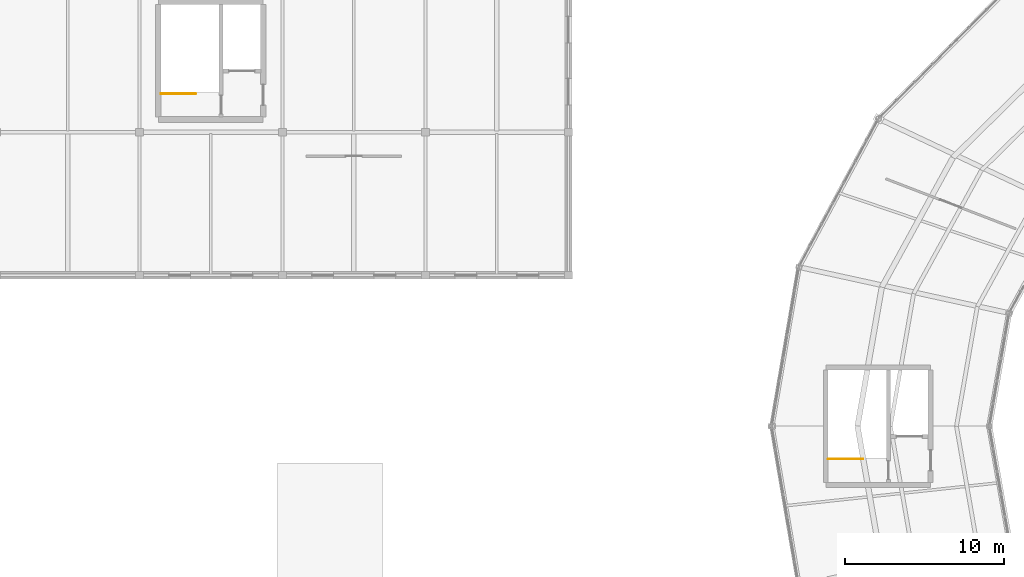
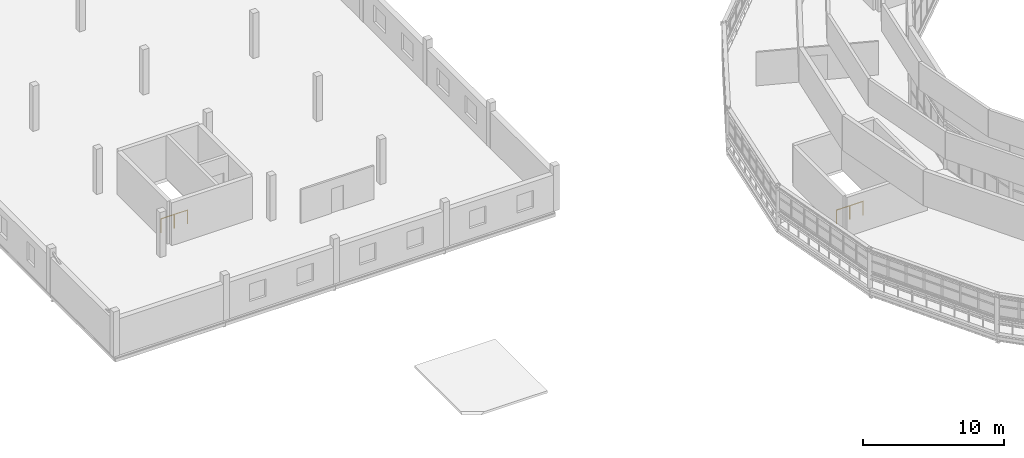
# One storey, part 117 of 123: 2 railings.
"""IFC4 building model written with IfcOpenShell, lengths in metres."""

import ifcopenshell
import ifcopenshell.guid

model = None  # the IFC model being written
_history = None  # IfcOwnerHistory: only IFC2X3 demands one
_inside = {}  # id of a spatial element -> (the spatial element, [elements in it])
_under = {}  # id of a project, library or spatial element -> (it, [spatial elements below it])
_declared = {}  # id of a project -> (the project, [libraries it declares])
_typed = {}  # id of a type object -> (the type object, [elements of that type])
_made_of = {}  # id of a material, layer set ... -> (it, [elements and type objects made of it])


def new_model(schema):
    """Start an empty IFC model of exactly this schema.

    Asked for "IFC4X3", IfcOpenShell would pick the latest addendum, in which some entities
    have other attributes; the version numbers below select the first issue.
    IFC2X3 requires an IfcOwnerHistory on every rooted entity: one is made here for all.
    """
    global model, _history
    if schema == "IFC4X3":
        model = ifcopenshell.file(schema_version=(4, 3, 0, 0))
    else:
        model = ifcopenshell.file(schema=schema)
    _inside.clear()
    _under.clear()
    _declared.clear()
    _typed.clear()
    _made_of.clear()
    _history = None
    if model.schema == "IFC2X3":
        org = make("IfcOrganization", Name="unknown")
        user = make(
            "IfcPersonAndOrganization",
            ThePerson=make("IfcPerson", FamilyName="unknown"),
            TheOrganization=org,
        )
        app = make(
            "IfcApplication",
            ApplicationDeveloper=org,
            Version="unknown",
            ApplicationFullName="unknown",
            ApplicationIdentifier="unknown",
        )
        _history = make(
            "IfcOwnerHistory",
            OwningUser=user,
            OwningApplication=app,
            ChangeAction="ADDED",
            CreationDate=0,
        )
    return model


def make(cls, **values):
    """One entity of the class cls with the attributes given. An attribute that is None is left unset."""
    return model.create_entity(
        cls, **{name: value for name, value in values.items() if value is not None}
    )


def rooted(cls, **values):
    """An entity with a GlobalId (a new one), such as an element, a storey or a relation."""
    return make(cls, GlobalId=ifcopenshell.guid.new(), OwnerHistory=_history, **values)


def si_unit(unit_type, name, prefix=None):
    """IfcSIUnit, for example si_unit("LENGTHUNIT", "METRE", prefix="MILLI")."""
    return make("IfcSIUnit", UnitType=unit_type, Prefix=prefix, Name=name)


def assignment(units):
    """IfcUnitAssignment: the units of a project."""
    return None if units is None else make("IfcUnitAssignment", Units=units)


def point(xyz):
    """IfcCartesianPoint."""
    return None if xyz is None else make("IfcCartesianPoint", Coordinates=xyz)


def direction(xyz):
    """IfcDirection."""
    return None if xyz is None else make("IfcDirection", DirectionRatios=xyz)


def frame(location, z_axis=None, x_axis=None):
    """IfcAxis2Placement3D, a coordinate frame: its origin and axes. An axis left out is left unset."""
    return make(
        "IfcAxis2Placement3D",
        Location=point(location),
        Axis=direction(z_axis),
        RefDirection=direction(x_axis),
    )


def frame_2d(location, x_axis=None):
    """IfcAxis2Placement2D, a coordinate frame in the plane: its origin and x axis."""
    return make(
        "IfcAxis2Placement2D", Location=point(location), RefDirection=direction(x_axis)
    )


def origin():
    """The frame at (0, 0, 0) with its axes left unset."""
    return frame((0.0, 0.0, 0.0))


def origin_2d():
    """The frame at (0, 0) in the plane with its x axis left unset."""
    return frame_2d((0.0, 0.0))


def place(relative_to, where):
    """IfcLocalPlacement: puts the frame where relative to a parent placement (None: the world)."""
    return make(
        "IfcLocalPlacement", PlacementRelTo=relative_to, RelativePlacement=where
    )


def context(
    kind, dimensions, precision=None, world=None, true_north=None, identifier=None
):
    """IfcGeometricRepresentationContext, for example the 3D "Model" context."""
    return make(
        "IfcGeometricRepresentationContext",
        ContextIdentifier=identifier,
        ContextType=kind,
        CoordinateSpaceDimension=dimensions,
        Precision=precision,
        WorldCoordinateSystem=world,
        TrueNorth=true_north,
    )


def subcontext(parent, identifier, kind, view, scale=None):
    """IfcGeometricRepresentationSubContext, for example "Body" below "Model"."""
    return make(
        "IfcGeometricRepresentationSubContext",
        ContextIdentifier=identifier,
        ContextType=kind,
        ParentContext=parent,
        TargetScale=scale,
        TargetView=view,
    )


def project(units=None, contexts=None):
    """IfcProject with its units and contexts."""
    return rooted(
        "IfcProject",
        Name="project",
        RepresentationContexts=contexts,
        UnitsInContext=assignment(units),
    )


def spatial(cls, under=None, at=None, **own):
    """A site, building, storey or space (cls), placed at a placement, below another one or the project."""
    s = rooted(cls, ObjectPlacement=at, **own)
    if under is not None:
        _under.setdefault(under.id(), (under, []))[1].append(s)
    return s


def profile(cls, at=None, kind="AREA", **sizes):
    """A parametric profile (cls). Its sizes go by their IFC names, for example OverallWidth=200.0."""
    return make(cls, ProfileType=kind, Position=at, **sizes)


def circle(**sizes):
    """IfcCircleProfileDef."""
    return profile("IfcCircleProfileDef", **sizes)


def extrude(swept, where, along, depth):
    """IfcExtrudedAreaSolid: the profile swept, set in the frame where, extruded along a direction by depth."""
    return make(
        "IfcExtrudedAreaSolid",
        SweptArea=swept,
        Position=where,
        ExtrudedDirection=direction(along),
        Depth=depth,
    )


def shape(context_of_items, identifier, shape_type, items):
    """IfcShapeRepresentation: the items that make up one representation, for example the "Body"."""
    return make(
        "IfcShapeRepresentation",
        ContextOfItems=context_of_items,
        RepresentationIdentifier=identifier,
        RepresentationType=shape_type,
        Items=items,
    )


def material(Name=None, Category=None):
    """IfcMaterial."""
    return make("IfcMaterial", Name=Name, Category=Category)


def made_of(thing, what):
    """Note that an element or type object is made of a material, layer set ...; save() writes the relation."""
    if what is not None:
        _made_of.setdefault(what.id(), (what, []))[1].append(thing)
    return thing


def type_object(cls, material=None, **own):
    """A type object (cls), such as IfcWallType, which elements share."""
    return made_of(rooted(cls, **own), material)


def element(
    cls,
    number,
    at=None,
    inside=None,
    cuts=None,
    type_object=None,
    material=None,
    context=None,
    identifier="Body",
    shape_type=None,
    held_by="IfcProductDefinitionShape",
    body=None,
    shapes=None,
    **own,
):
    """One element of the class cls, such as IfcWall. Its Tag is "e" and its number.

    at: its placement. inside: the storey or other place that contains it. cuts: it is an
    opening in that element (IfcRelVoidsElement). A single representation is given by context,
    identifier, shape_type and body (its items); several are given by shapes. held_by: the class
    of the entity that holds the representations. save() writes the other relations.
    """
    e = rooted(cls, Tag="e%d" % number, ObjectPlacement=at, **own)
    if body is not None:
        shapes = [shape(context, identifier, shape_type, body)]
    if shapes is not None:
        e.Representation = make(held_by, Representations=shapes)
    if inside is not None:
        _inside.setdefault(inside.id(), (inside, []))[1].append(e)
    if cuts is not None:
        rooted(
            "IfcRelVoidsElement", RelatingBuildingElement=cuts, RelatedOpeningElement=e
        )
    if type_object is not None:
        _typed.setdefault(type_object.id(), (type_object, []))[1].append(e)
    return made_of(e, material)


def aggregate(whole, parts):
    """IfcRelAggregates: a whole, such as a stair, and the parts it consists of."""
    return rooted("IfcRelAggregates", RelatingObject=whole, RelatedObjects=parts)


def save(model, path):
    """Write the relations noted so far, then the file.

    IfcRelAggregates (storeys below a building ...), IfcRelContainedInSpatialStructure (elements
    in a storey), IfcRelDefinesByType, IfcRelAssociatesMaterial and IfcRelDeclares: one each for
    every whole, place, type object, material and project.
    """
    for whole, parts in _under.values():
        aggregate(whole, parts)
    for where, things in _inside.values():
        rooted(
            "IfcRelContainedInSpatialStructure",
            RelatedElements=things,
            RelatingStructure=where,
        )
    for kind, things in _typed.values():
        rooted("IfcRelDefinesByType", RelatedObjects=things, RelatingType=kind)
    for what, things in _made_of.values():
        rooted("IfcRelAssociatesMaterial", RelatedObjects=things, RelatingMaterial=what)
    for by, libraries in _declared.values():
        rooted("IfcRelDeclares", RelatingContext=by, RelatedDefinitions=libraries)
    model.write(path)


model = new_model("IFC4")

# Units and contexts
model_context = context("Model", 3, precision=1e-05, world=origin(), true_north=direction((0.0, 1.0)))
body_context = subcontext(model_context, "Body", "Model", "MODEL_VIEW")
ifc_project = project(units=[si_unit("LENGTHUNIT", "METRE"), si_unit("AREAUNIT", "SQUARE_METRE"), si_unit("VOLUMEUNIT", "CUBIC_METRE"), si_unit("PLANEANGLEUNIT", "RADIAN"), si_unit("MASSUNIT", "GRAM", prefix="KILO")], contexts=[model_context])

# Site, building, storey
site_placement = place(None, origin())
site = spatial("IfcSite", under=ifc_project, at=site_placement, CompositionType="ELEMENT")
building_placement = place(site_placement, origin())
building = spatial("IfcBuilding", under=site, at=building_placement, Name="Kildeholm Park Wholesale Market", CompositionType="ELEMENT")
storey_placement = place(building_placement, frame((0.0, 0.0, 9.60009765625)))
storey = spatial("IfcBuildingStorey", under=building, at=storey_placement, Name="L02", CompositionType="ELEMENT", Elevation=9.60009765625)

# Railings
ifc_material = material(Name="Painted steel and laminated glass balustrade", Category="steel")
railing_type = type_object("IfcRailingType", Name="Interior gallery and stairwell guard GR-IN1 1200 mm", PredefinedType="GUARDRAIL", material=ifc_material)
for number, where, name in (
    (1, (10.360107421875, 110.429931640625, 0.0), "Stair C01 upper floor well guard L02 RLG-0027"),
    (2, (52.360107421875, 87.429931640625, 0.0), "Stair C09 upper floor well guard L02 RLG-0111"),
):
    element("IfcRailing", number, at=place(storey_placement, frame(where)), inside=storey, type_object=railing_type, Name=name, PredefinedType="GUARDRAIL", context=body_context, shape_type="SweptSolid", body=[
        extrude(circle(Radius=0.02392578125, at=origin_2d()), frame((0.0, 0.0, 1.17578125), z_axis=(1.0, 0.0, 0.0), x_axis=(0.0, 1.0, 0.0)), (0.0, 0.0, 1.0), 2.18994140625),
        extrude(circle(Radius=0.02099609375, at=origin_2d()), origin(), (0.0, 0.0, 1.0), 1.15185546875),
        extrude(circle(Radius=0.02099609375, at=origin_2d()), frame((1.094970703125, 0.0, 0.0)), (0.0, 0.0, 1.0), 1.15185546875),
        extrude(circle(Radius=0.02099609375, at=origin_2d()), frame((2.18994140625, 0.0, 0.0)), (0.0, 0.0, 1.0), 1.15185546875),
    ])

save(model, "model.ifc")
